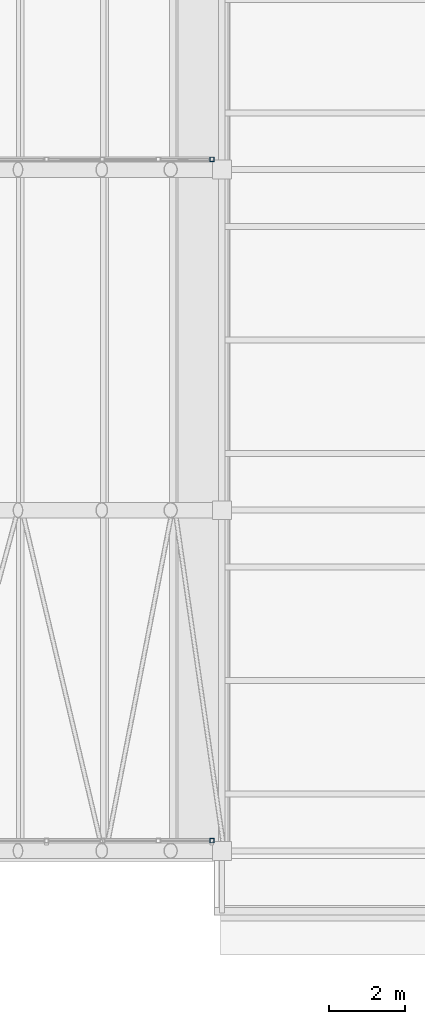
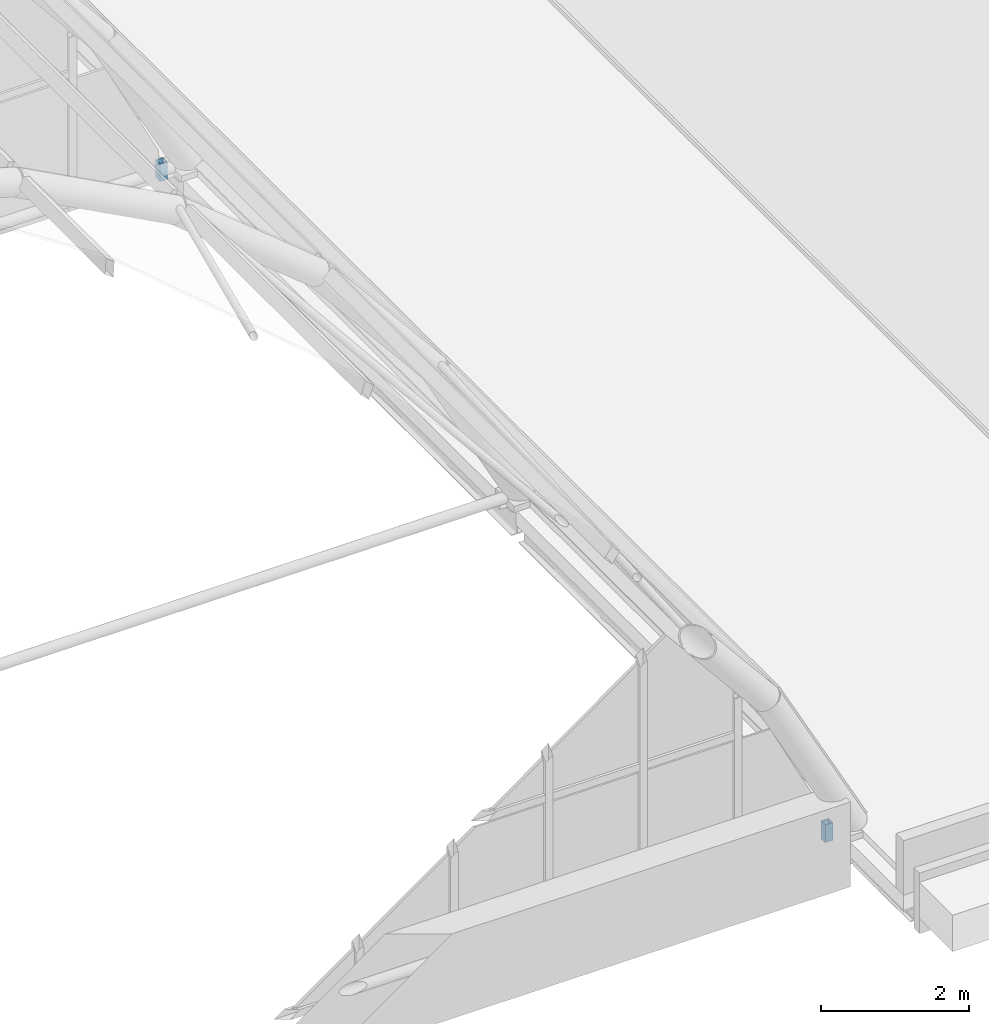
# One storey, part 65 of 121: 2 members, 2 elements without a shape of their own.
"""IFC4 building model written with IfcOpenShell, lengths in metres."""

import ifcopenshell
import ifcopenshell.guid

model = None  # the IFC model being written
_history = None  # IfcOwnerHistory: only IFC2X3 demands one
_inside = {}  # id of a spatial element -> (the spatial element, [elements in it])
_under = {}  # id of a project, library or spatial element -> (it, [spatial elements below it])
_declared = {}  # id of a project -> (the project, [libraries it declares])
_typed = {}  # id of a type object -> (the type object, [elements of that type])
_made_of = {}  # id of a material, layer set ... -> (it, [elements and type objects made of it])


def new_model(schema):
    """Start an empty IFC model of exactly this schema.

    Asked for "IFC4X3", IfcOpenShell would pick the latest addendum, in which some entities
    have other attributes; the version numbers below select the first issue.
    IFC2X3 requires an IfcOwnerHistory on every rooted entity: one is made here for all.
    """
    global model, _history
    if schema == "IFC4X3":
        model = ifcopenshell.file(schema_version=(4, 3, 0, 0))
    else:
        model = ifcopenshell.file(schema=schema)
    _inside.clear()
    _under.clear()
    _declared.clear()
    _typed.clear()
    _made_of.clear()
    _history = None
    if model.schema == "IFC2X3":
        org = make("IfcOrganization", Name="unknown")
        user = make(
            "IfcPersonAndOrganization",
            ThePerson=make("IfcPerson", FamilyName="unknown"),
            TheOrganization=org,
        )
        app = make(
            "IfcApplication",
            ApplicationDeveloper=org,
            Version="unknown",
            ApplicationFullName="unknown",
            ApplicationIdentifier="unknown",
        )
        _history = make(
            "IfcOwnerHistory",
            OwningUser=user,
            OwningApplication=app,
            ChangeAction="ADDED",
            CreationDate=0,
        )
    return model


def make(cls, **values):
    """One entity of the class cls with the attributes given. An attribute that is None is left unset."""
    return model.create_entity(
        cls, **{name: value for name, value in values.items() if value is not None}
    )


def rooted(cls, **values):
    """An entity with a GlobalId (a new one), such as an element, a storey or a relation."""
    return make(cls, GlobalId=ifcopenshell.guid.new(), OwnerHistory=_history, **values)


def si_unit(unit_type, name, prefix=None):
    """IfcSIUnit, for example si_unit("LENGTHUNIT", "METRE", prefix="MILLI")."""
    return make("IfcSIUnit", UnitType=unit_type, Prefix=prefix, Name=name)


def assignment(units):
    """IfcUnitAssignment: the units of a project."""
    return None if units is None else make("IfcUnitAssignment", Units=units)


def point(xyz):
    """IfcCartesianPoint."""
    return None if xyz is None else make("IfcCartesianPoint", Coordinates=xyz)


def direction(xyz):
    """IfcDirection."""
    return None if xyz is None else make("IfcDirection", DirectionRatios=xyz)


def frame(location, z_axis=None, x_axis=None):
    """IfcAxis2Placement3D, a coordinate frame: its origin and axes. An axis left out is left unset."""
    return make(
        "IfcAxis2Placement3D",
        Location=point(location),
        Axis=direction(z_axis),
        RefDirection=direction(x_axis),
    )


def frame_2d(location, x_axis=None):
    """IfcAxis2Placement2D, a coordinate frame in the plane: its origin and x axis."""
    return make(
        "IfcAxis2Placement2D", Location=point(location), RefDirection=direction(x_axis)
    )


def origin():
    """The frame at (0, 0, 0) with its axes left unset."""
    return frame((0.0, 0.0, 0.0))


def origin_2d():
    """The frame at (0, 0) in the plane with its x axis left unset."""
    return frame_2d((0.0, 0.0))


def place(relative_to, where):
    """IfcLocalPlacement: puts the frame where relative to a parent placement (None: the world)."""
    return make(
        "IfcLocalPlacement", PlacementRelTo=relative_to, RelativePlacement=where
    )


def context(
    kind, dimensions, precision=None, world=None, true_north=None, identifier=None
):
    """IfcGeometricRepresentationContext, for example the 3D "Model" context."""
    return make(
        "IfcGeometricRepresentationContext",
        ContextIdentifier=identifier,
        ContextType=kind,
        CoordinateSpaceDimension=dimensions,
        Precision=precision,
        WorldCoordinateSystem=world,
        TrueNorth=true_north,
    )


def subcontext(parent, identifier, kind, view, scale=None):
    """IfcGeometricRepresentationSubContext, for example "Body" below "Model"."""
    return make(
        "IfcGeometricRepresentationSubContext",
        ContextIdentifier=identifier,
        ContextType=kind,
        ParentContext=parent,
        TargetScale=scale,
        TargetView=view,
    )


def project(units=None, contexts=None):
    """IfcProject with its units and contexts."""
    return rooted(
        "IfcProject",
        Name="project",
        RepresentationContexts=contexts,
        UnitsInContext=assignment(units),
    )


def spatial(cls, under=None, at=None, **own):
    """A site, building, storey or space (cls), placed at a placement, below another one or the project."""
    s = rooted(cls, ObjectPlacement=at, **own)
    if under is not None:
        _under.setdefault(under.id(), (under, []))[1].append(s)
    return s


def profile(cls, at=None, kind="AREA", **sizes):
    """A parametric profile (cls). Its sizes go by their IFC names, for example OverallWidth=200.0."""
    return make(cls, ProfileType=kind, Position=at, **sizes)


def hollow_rectangle(**sizes):
    """IfcRectangleHollowProfileDef."""
    return profile("IfcRectangleHollowProfileDef", **sizes)


def extrude(swept, where, along, depth):
    """IfcExtrudedAreaSolid: the profile swept, set in the frame where, extruded along a direction by depth."""
    return make(
        "IfcExtrudedAreaSolid",
        SweptArea=swept,
        Position=where,
        ExtrudedDirection=direction(along),
        Depth=depth,
    )


def shape(context_of_items, identifier, shape_type, items):
    """IfcShapeRepresentation: the items that make up one representation, for example the "Body"."""
    return make(
        "IfcShapeRepresentation",
        ContextOfItems=context_of_items,
        RepresentationIdentifier=identifier,
        RepresentationType=shape_type,
        Items=items,
    )


def material(Name=None, Category=None):
    """IfcMaterial."""
    return make("IfcMaterial", Name=Name, Category=Category)


def material_profile(
    of_material, cross_section, Name=None, Category=None, Priority=None
):
    """IfcMaterialProfile: a cross section and its material."""
    return make(
        "IfcMaterialProfile",
        Name=Name,
        Material=of_material,
        Profile=cross_section,
        Priority=Priority,
        Category=Category,
    )


def profile_set(profiles, Name=None, composite=None):
    """IfcMaterialProfileSet."""
    return make(
        "IfcMaterialProfileSet",
        Name=Name,
        MaterialProfiles=profiles,
        CompositeProfile=composite,
    )


def made_of(thing, what):
    """Note that an element or type object is made of a material, layer set ...; save() writes the relation."""
    if what is not None:
        _made_of.setdefault(what.id(), (what, []))[1].append(thing)
    return thing


def type_object(cls, material=None, **own):
    """A type object (cls), such as IfcWallType, which elements share."""
    return made_of(rooted(cls, **own), material)


def element(
    cls,
    number,
    at=None,
    inside=None,
    cuts=None,
    type_object=None,
    material=None,
    context=None,
    identifier="Body",
    shape_type=None,
    held_by="IfcProductDefinitionShape",
    body=None,
    shapes=None,
    **own,
):
    """One element of the class cls, such as IfcWall. Its Tag is "e" and its number.

    at: its placement. inside: the storey or other place that contains it. cuts: it is an
    opening in that element (IfcRelVoidsElement). A single representation is given by context,
    identifier, shape_type and body (its items); several are given by shapes. held_by: the class
    of the entity that holds the representations. save() writes the other relations.
    """
    e = rooted(cls, Tag="e%d" % number, ObjectPlacement=at, **own)
    if body is not None:
        shapes = [shape(context, identifier, shape_type, body)]
    if shapes is not None:
        e.Representation = make(held_by, Representations=shapes)
    if inside is not None:
        _inside.setdefault(inside.id(), (inside, []))[1].append(e)
    if cuts is not None:
        rooted(
            "IfcRelVoidsElement", RelatingBuildingElement=cuts, RelatedOpeningElement=e
        )
    if type_object is not None:
        _typed.setdefault(type_object.id(), (type_object, []))[1].append(e)
    return made_of(e, material)


def aggregate(whole, parts):
    """IfcRelAggregates: a whole, such as a stair, and the parts it consists of."""
    return rooted("IfcRelAggregates", RelatingObject=whole, RelatedObjects=parts)


def save(model, path):
    """Write the relations noted so far, then the file.

    IfcRelAggregates (storeys below a building ...), IfcRelContainedInSpatialStructure (elements
    in a storey), IfcRelDefinesByType, IfcRelAssociatesMaterial and IfcRelDeclares: one each for
    every whole, place, type object, material and project.
    """
    for whole, parts in _under.values():
        aggregate(whole, parts)
    for where, things in _inside.values():
        rooted(
            "IfcRelContainedInSpatialStructure",
            RelatedElements=things,
            RelatingStructure=where,
        )
    for kind, things in _typed.values():
        rooted("IfcRelDefinesByType", RelatedObjects=things, RelatingType=kind)
    for what, things in _made_of.values():
        rooted("IfcRelAssociatesMaterial", RelatedObjects=things, RelatingMaterial=what)
    for by, libraries in _declared.values():
        rooted("IfcRelDeclares", RelatingContext=by, RelatedDefinitions=libraries)
    model.write(path)


model = new_model("IFC4")

# Units and contexts
model_context = context("Model", 3, precision=1e-05, world=origin(), true_north=direction((0.0, 1.0)))
body_context = subcontext(model_context, "Body", "Model", "MODEL_VIEW")
ifc_project = project(units=[si_unit("LENGTHUNIT", "METRE"), si_unit("AREAUNIT", "SQUARE_METRE"), si_unit("VOLUMEUNIT", "CUBIC_METRE"), si_unit("PLANEANGLEUNIT", "RADIAN"), si_unit("MASSUNIT", "GRAM", prefix="KILO")], contexts=[model_context])

# Site, building, storey
site_placement = place(None, origin())
site = spatial("IfcSite", under=ifc_project, at=site_placement, CompositionType="ELEMENT")
building_placement = place(site_placement, origin())
building = spatial("IfcBuilding", under=site, at=building_placement, Name="Golden Quay Civic Hall", CompositionType="ELEMENT")
storey_placement = place(building_placement, frame((0.0, 0.0, 18.60009765625)))
storey = spatial("IfcBuildingStorey", under=building, at=storey_placement, Name="L04", CompositionType="ELEMENT", Elevation=18.60009765625)

# Curtain wall, member
ifc_material_1 = material(Name="Fire-resisting glass and steel", Category="steel")
curtain_wall_type_1 = type_object("IfcCurtainWallType", Name="Fire-resisting glazed curtain wall EI 120", PredefinedType="NOTDEFINED", material=ifc_material_1)
curtain_wall_1_placement = place(storey_placement, origin())
curtain_wall_1 = element("IfcCurtainWall", 1, at=curtain_wall_1_placement, inside=storey, type_object=curtain_wall_type_1, Name="Curtain wall tympanum fire1", PredefinedType="NOTDEFINED")
ifc_material_2 = material(Name="Steel S355", Category="steel")
ifc_material_profile_1 = material_profile(ifc_material_2, hollow_rectangle(XDim=0.1201171875, YDim=0.1201171875, WallThickness=0.008056640625, at=origin_2d()), Name="SHS 120x120x8")
ifc_profile_set_1 = profile_set([ifc_material_profile_1], Name="Steel S355")
member_type_1 = type_object("IfcMemberType", Name="Fire-resisting steel mullion SHS 120x120x8", PredefinedType="MULLION", material=ifc_profile_set_1)
member_1_placement = place(storey_placement, frame((98.739990234375, 18.27001953125, -0.25), z_axis=(0.0, 0.0, 1.0), x_axis=(0.0, 1.0, 0.0)))
member_1 = element("IfcMember", 2, at=member_1_placement, type_object=member_type_1, Name="Tympanum mullion 19", PredefinedType="MULLION", context=body_context, shape_type="SweptSolid", body=[
    extrude(hollow_rectangle(XDim=0.1201171875, YDim=0.1201171875, WallThickness=0.008056640625, at=origin_2d()), origin(), (0.0, 0.0, 1.0), 0.292724609375),
])
aggregate(curtain_wall_1, [member_1])

ifc_material_3 = material(Name="Glass and aluminium", Category="aluminium")
curtain_wall_type_2 = type_object("IfcCurtainWallType", Name="Glazed curtain wall 1500 module", PredefinedType="NOTDEFINED", material=ifc_material_3)
curtain_wall_2_placement = place(storey_placement, origin())
curtain_wall_2 = element("IfcCurtainWall", 3, at=curtain_wall_2_placement, inside=storey, type_object=curtain_wall_type_2, Name="Curtain wall tympanum south", PredefinedType="NOTDEFINED")
ifc_material_4 = material(Name="Steel S355", Category="steel")
ifc_material_profile_2 = material_profile(ifc_material_4, hollow_rectangle(XDim=0.1201171875, YDim=0.1201171875, WallThickness=0.008056640625, at=origin_2d()), Name="SHS 120x120x8")
ifc_profile_set_2 = profile_set([ifc_material_profile_2], Name="Steel S355")
member_type_2 = type_object("IfcMemberType", Name="Steel mullion SHS 120x120x8", PredefinedType="MULLION", material=ifc_profile_set_2)
member_2_placement = place(storey_placement, frame((98.739990234375, 0.27001953125, -0.25), z_axis=(0.0, 0.0, 1.0), x_axis=(0.0, 1.0, 0.0)))
member_2 = element("IfcMember", 4, at=member_2_placement, type_object=member_type_2, Name="Tympanum mullion 19", PredefinedType="MULLION", context=body_context, shape_type="SweptSolid", body=[
    extrude(hollow_rectangle(XDim=0.1201171875, YDim=0.1201171875, WallThickness=0.008056640625, at=origin_2d()), origin(), (0.0, 0.0, 1.0), 0.292724609375),
])
aggregate(curtain_wall_2, [member_2])

save(model, "model.ifc")
